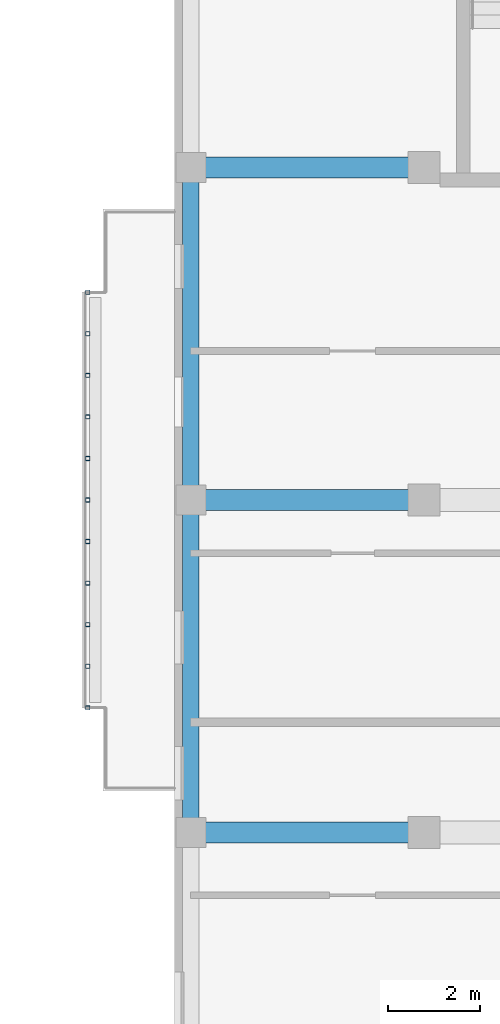
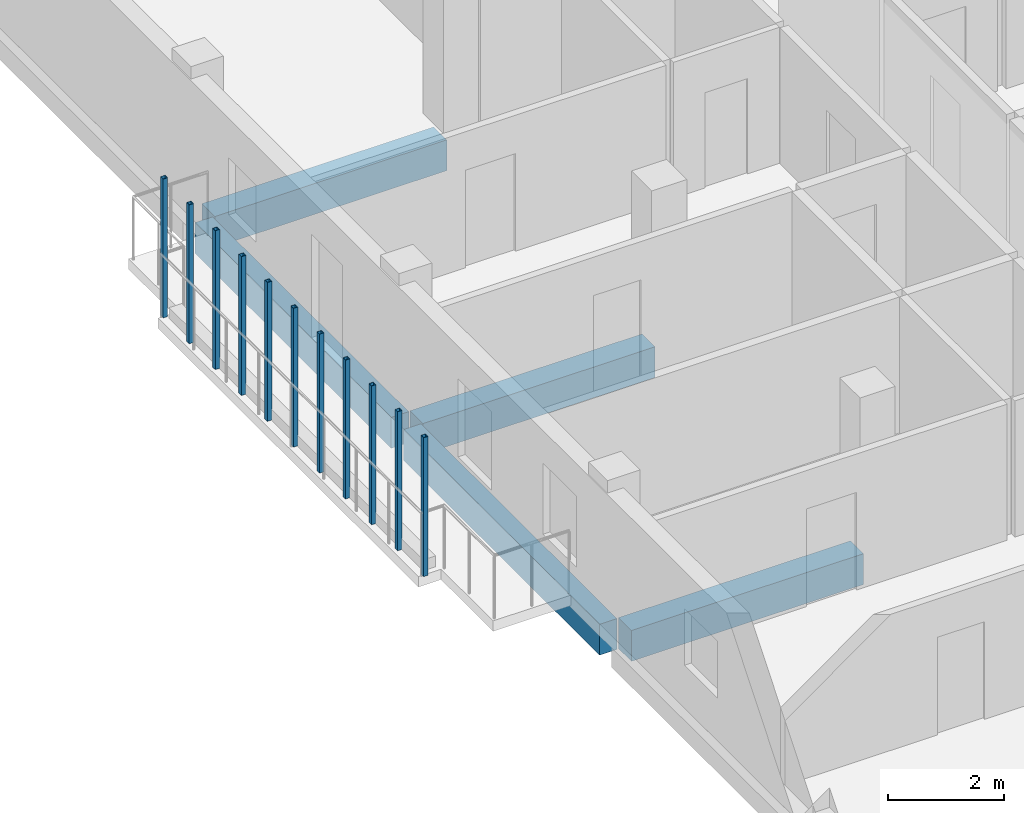
# One storey, part 20 of 56: 11 members, 5 beams.
"""IFC4 building model written with IfcOpenShell, lengths in metres."""

import ifcopenshell
import ifcopenshell.guid

model = None  # the IFC model being written
_history = None  # IfcOwnerHistory: only IFC2X3 demands one
_inside = {}  # id of a spatial element -> (the spatial element, [elements in it])
_under = {}  # id of a project, library or spatial element -> (it, [spatial elements below it])
_declared = {}  # id of a project -> (the project, [libraries it declares])
_typed = {}  # id of a type object -> (the type object, [elements of that type])
_made_of = {}  # id of a material, layer set ... -> (it, [elements and type objects made of it])


def new_model(schema):
    """Start an empty IFC model of exactly this schema.

    Asked for "IFC4X3", IfcOpenShell would pick the latest addendum, in which some entities
    have other attributes; the version numbers below select the first issue.
    IFC2X3 requires an IfcOwnerHistory on every rooted entity: one is made here for all.
    """
    global model, _history
    if schema == "IFC4X3":
        model = ifcopenshell.file(schema_version=(4, 3, 0, 0))
    else:
        model = ifcopenshell.file(schema=schema)
    _inside.clear()
    _under.clear()
    _declared.clear()
    _typed.clear()
    _made_of.clear()
    _history = None
    if model.schema == "IFC2X3":
        org = make("IfcOrganization", Name="unknown")
        user = make(
            "IfcPersonAndOrganization",
            ThePerson=make("IfcPerson", FamilyName="unknown"),
            TheOrganization=org,
        )
        app = make(
            "IfcApplication",
            ApplicationDeveloper=org,
            Version="unknown",
            ApplicationFullName="unknown",
            ApplicationIdentifier="unknown",
        )
        _history = make(
            "IfcOwnerHistory",
            OwningUser=user,
            OwningApplication=app,
            ChangeAction="ADDED",
            CreationDate=0,
        )
    return model


def make(cls, **values):
    """One entity of the class cls with the attributes given. An attribute that is None is left unset."""
    return model.create_entity(
        cls, **{name: value for name, value in values.items() if value is not None}
    )


def rooted(cls, **values):
    """An entity with a GlobalId (a new one), such as an element, a storey or a relation."""
    return make(cls, GlobalId=ifcopenshell.guid.new(), OwnerHistory=_history, **values)


def si_unit(unit_type, name, prefix=None):
    """IfcSIUnit, for example si_unit("LENGTHUNIT", "METRE", prefix="MILLI")."""
    return make("IfcSIUnit", UnitType=unit_type, Prefix=prefix, Name=name)


def derived_unit(unit_type, elements):
    """IfcDerivedUnit: a product of units, each with its exponent."""
    return make(
        "IfcDerivedUnit",
        Elements=[
            make("IfcDerivedUnitElement", Unit=unit, Exponent=power)
            for unit, power in elements
        ],
        UnitType=unit_type,
    )


def assignment(units):
    """IfcUnitAssignment: the units of a project."""
    return None if units is None else make("IfcUnitAssignment", Units=units)


def point(xyz):
    """IfcCartesianPoint."""
    return None if xyz is None else make("IfcCartesianPoint", Coordinates=xyz)


def direction(xyz):
    """IfcDirection."""
    return None if xyz is None else make("IfcDirection", DirectionRatios=xyz)


def frame(location, z_axis=None, x_axis=None):
    """IfcAxis2Placement3D, a coordinate frame: its origin and axes. An axis left out is left unset."""
    return make(
        "IfcAxis2Placement3D",
        Location=point(location),
        Axis=direction(z_axis),
        RefDirection=direction(x_axis),
    )


def frame_2d(location, x_axis=None):
    """IfcAxis2Placement2D, a coordinate frame in the plane: its origin and x axis."""
    return make(
        "IfcAxis2Placement2D", Location=point(location), RefDirection=direction(x_axis)
    )


def origin():
    """The frame at (0, 0, 0) with its axes left unset."""
    return frame((0.0, 0.0, 0.0))


def origin_2d():
    """The frame at (0, 0) in the plane with its x axis left unset."""
    return frame_2d((0.0, 0.0))


def place(relative_to, where):
    """IfcLocalPlacement: puts the frame where relative to a parent placement (None: the world)."""
    return make(
        "IfcLocalPlacement", PlacementRelTo=relative_to, RelativePlacement=where
    )


def context(
    kind, dimensions, precision=None, world=None, true_north=None, identifier=None
):
    """IfcGeometricRepresentationContext, for example the 3D "Model" context."""
    return make(
        "IfcGeometricRepresentationContext",
        ContextIdentifier=identifier,
        ContextType=kind,
        CoordinateSpaceDimension=dimensions,
        Precision=precision,
        WorldCoordinateSystem=world,
        TrueNorth=true_north,
    )


def subcontext(parent, identifier, kind, view, scale=None):
    """IfcGeometricRepresentationSubContext, for example "Body" below "Model"."""
    return make(
        "IfcGeometricRepresentationSubContext",
        ContextIdentifier=identifier,
        ContextType=kind,
        ParentContext=parent,
        TargetScale=scale,
        TargetView=view,
    )


def project(units=None, contexts=None):
    """IfcProject with its units and contexts."""
    return rooted(
        "IfcProject",
        Name="project",
        RepresentationContexts=contexts,
        UnitsInContext=assignment(units),
    )


def spatial(cls, under=None, at=None, **own):
    """A site, building, storey or space (cls), placed at a placement, below another one or the project."""
    s = rooted(cls, ObjectPlacement=at, **own)
    if under is not None:
        _under.setdefault(under.id(), (under, []))[1].append(s)
    return s


def profile(cls, at=None, kind="AREA", **sizes):
    """A parametric profile (cls). Its sizes go by their IFC names, for example OverallWidth=200.0."""
    return make(cls, ProfileType=kind, Position=at, **sizes)


def rectangle(**sizes):
    """IfcRectangleProfileDef."""
    return profile("IfcRectangleProfileDef", **sizes)


def hollow_rectangle(**sizes):
    """IfcRectangleHollowProfileDef."""
    return profile("IfcRectangleHollowProfileDef", **sizes)


def extrude(swept, where, along, depth):
    """IfcExtrudedAreaSolid: the profile swept, set in the frame where, extruded along a direction by depth."""
    return make(
        "IfcExtrudedAreaSolid",
        SweptArea=swept,
        Position=where,
        ExtrudedDirection=direction(along),
        Depth=depth,
    )


def shape(context_of_items, identifier, shape_type, items):
    """IfcShapeRepresentation: the items that make up one representation, for example the "Body"."""
    return make(
        "IfcShapeRepresentation",
        ContextOfItems=context_of_items,
        RepresentationIdentifier=identifier,
        RepresentationType=shape_type,
        Items=items,
    )


def material(Name=None, Category=None):
    """IfcMaterial."""
    return make("IfcMaterial", Name=Name, Category=Category)


def material_profile(
    of_material, cross_section, Name=None, Category=None, Priority=None
):
    """IfcMaterialProfile: a cross section and its material."""
    return make(
        "IfcMaterialProfile",
        Name=Name,
        Material=of_material,
        Profile=cross_section,
        Priority=Priority,
        Category=Category,
    )


def profile_set(profiles, Name=None, composite=None):
    """IfcMaterialProfileSet."""
    return make(
        "IfcMaterialProfileSet",
        Name=Name,
        MaterialProfiles=profiles,
        CompositeProfile=composite,
    )


def made_of(thing, what):
    """Note that an element or type object is made of a material, layer set ...; save() writes the relation."""
    if what is not None:
        _made_of.setdefault(what.id(), (what, []))[1].append(thing)
    return thing


def type_object(cls, material=None, **own):
    """A type object (cls), such as IfcWallType, which elements share."""
    return made_of(rooted(cls, **own), material)


def element(
    cls,
    number,
    at=None,
    inside=None,
    cuts=None,
    type_object=None,
    material=None,
    context=None,
    identifier="Body",
    shape_type=None,
    held_by="IfcProductDefinitionShape",
    body=None,
    shapes=None,
    **own,
):
    """One element of the class cls, such as IfcWall. Its Tag is "e" and its number.

    at: its placement. inside: the storey or other place that contains it. cuts: it is an
    opening in that element (IfcRelVoidsElement). A single representation is given by context,
    identifier, shape_type and body (its items); several are given by shapes. held_by: the class
    of the entity that holds the representations. save() writes the other relations.
    """
    e = rooted(cls, Tag="e%d" % number, ObjectPlacement=at, **own)
    if body is not None:
        shapes = [shape(context, identifier, shape_type, body)]
    if shapes is not None:
        e.Representation = make(held_by, Representations=shapes)
    if inside is not None:
        _inside.setdefault(inside.id(), (inside, []))[1].append(e)
    if cuts is not None:
        rooted(
            "IfcRelVoidsElement", RelatingBuildingElement=cuts, RelatedOpeningElement=e
        )
    if type_object is not None:
        _typed.setdefault(type_object.id(), (type_object, []))[1].append(e)
    return made_of(e, material)


def aggregate(whole, parts):
    """IfcRelAggregates: a whole, such as a stair, and the parts it consists of."""
    return rooted("IfcRelAggregates", RelatingObject=whole, RelatedObjects=parts)


def save(model, path):
    """Write the relations noted so far, then the file.

    IfcRelAggregates (storeys below a building ...), IfcRelContainedInSpatialStructure (elements
    in a storey), IfcRelDefinesByType, IfcRelAssociatesMaterial and IfcRelDeclares: one each for
    every whole, place, type object, material and project.
    """
    for whole, parts in _under.values():
        aggregate(whole, parts)
    for where, things in _inside.values():
        rooted(
            "IfcRelContainedInSpatialStructure",
            RelatedElements=things,
            RelatingStructure=where,
        )
    for kind, things in _typed.values():
        rooted("IfcRelDefinesByType", RelatedObjects=things, RelatingType=kind)
    for what, things in _made_of.values():
        rooted("IfcRelAssociatesMaterial", RelatedObjects=things, RelatingMaterial=what)
    for by, libraries in _declared.values():
        rooted("IfcRelDeclares", RelatingContext=by, RelatedDefinitions=libraries)
    model.write(path)


model = new_model("IFC4")

# Units and contexts
model_context = context("Model", 3, precision=1e-05, world=origin(), true_north=direction((0.0, 1.0)))
body_context = subcontext(model_context, "Body", "Model", "MODEL_VIEW")
ifc_project = project(units=[si_unit("LENGTHUNIT", "METRE"), si_unit("AREAUNIT", "SQUARE_METRE"), si_unit("VOLUMEUNIT", "CUBIC_METRE"), si_unit("PLANEANGLEUNIT", "RADIAN"), si_unit("MASSUNIT", "GRAM", prefix="KILO"), derived_unit("THERMALTRANSMITTANCEUNIT", [(si_unit("MASSUNIT", "GRAM", prefix="KILO"), 1), (si_unit("TIMEUNIT", "SECOND"), -3), (si_unit("THERMODYNAMICTEMPERATUREUNIT", "KELVIN"), -1)])], contexts=[model_context])

# Site, building, storey
site_placement = place(None, origin())
site = spatial("IfcSite", under=ifc_project, at=site_placement, CompositionType="ELEMENT")
building_placement = place(site_placement, origin())
building = spatial("IfcBuilding", under=site, at=building_placement, Name="Ochrekiln Boulevard Commons", CompositionType="ELEMENT")
storey_placement = place(building_placement, frame((0.0, 0.0, 12.074951171875)))
storey = spatial("IfcBuildingStorey", under=building, at=storey_placement, Name="L03", CompositionType="ELEMENT", Elevation=12.074951171875)

# Beams
ifc_material_1 = material(Name="Concrete C35/45", Category="concrete")
ifc_material_profile_1 = material_profile(ifc_material_1, rectangle(XDim=0.449951171875, YDim=0.64990234375, at=origin_2d()), Name="RC-BM-450x650")
ifc_profile_set_1 = profile_set([ifc_material_profile_1], Name="Concrete C35/45")
beam_type_1 = type_object("IfcBeamType", Name="BM-RC-450x650", PredefinedType="BEAM", material=ifc_profile_set_1)
for number, where, z_axis, x_axis, name in (
    (1, (151.760009765625, 97.199951171875, -0.5849609375), (1.0, 0.0, 0.0), (0.0, 1.0, 0.0), "Block B L03 Beam B-4565 X12"),
    (2, (151.760009765625, 104.39990234375, -0.5849609375), (1.0, 0.0, 0.0), (0.0, 1.0, 0.0), "Block B L03 Beam B-4565 X15"),
    (3, (151.760009765625, 111.60009765625, -0.5849609375), (1.0, 0.0, 0.0), (0.0, 1.0, 0.0), "Block B L03 Beam B-4565 X18"),
):
    element("IfcBeam", number, at=place(storey_placement, frame(where, z_axis=z_axis, x_axis=x_axis)), inside=storey, type_object=beam_type_1, Name=name, PredefinedType="BEAM", context=body_context, shape_type="SweptSolid", body=[
        extrude(rectangle(XDim=0.449951171875, YDim=0.64990234375, at=origin_2d()), origin(), (0.0, 0.0, 1.0), 4.6298828125),
    ])

# Members
ifc_material_2 = material(Name="Steel A500 Grade C", Category="steel")
ifc_material_profile_2 = material_profile(ifc_material_2, hollow_rectangle(XDim=0.090087890625, YDim=0.090087890625, WallThickness=0.00634765625, at=origin_2d()), Name="HSS90X90X6.4")
ifc_profile_set_2 = profile_set([ifc_material_profile_2], Name="Steel A500 Grade C")
member_type = type_object("IfcMemberType", Name="MEM-PST-HSS90", PredefinedType="POST", material=ifc_profile_set_2)
for number, where, z_axis, x_axis, name in (
    (4, (149.320068359375, 99.89990234375, 0.0), (0.0, 0.0, 1.0), (1.0, 0.0, 0.0), "Block B L03 Slim Vertical Balcony Post (210)"),
    (5, (149.320068359375, 100.800048828125, 0.0), (0.0, 0.0, 1.0), (1.0, 0.0, 0.0), "Block B L03 Slim Vertical Balcony Post (211)"),
    (6, (149.320068359375, 101.699951171875, 0.0), (0.0, 0.0, 1.0), (1.0, 0.0, 0.0), "Block B L03 Slim Vertical Balcony Post (212)"),
    (7, (149.320068359375, 102.60009765625, 0.0), (0.0, 0.0, 1.0), (1.0, 0.0, 0.0), "Block B L03 Slim Vertical Balcony Post (213)"),
    (8, (149.320068359375, 103.5, 0.0), (0.0, 0.0, 1.0), (1.0, 0.0, 0.0), "Block B L03 Slim Vertical Balcony Post (214)"),
    (9, (149.320068359375, 104.39990234375, 0.0), (0.0, 0.0, 1.0), (1.0, 0.0, 0.0), "Block B L03 Slim Vertical Balcony Post (215)"),
    (10, (149.320068359375, 105.300048828125, 0.0), (0.0, 0.0, 1.0), (1.0, 0.0, 0.0), "Block B L03 Slim Vertical Balcony Post (216)"),
    (11, (149.320068359375, 106.199951171875, 0.0), (0.0, 0.0, 1.0), (1.0, 0.0, 0.0), "Block B L03 Slim Vertical Balcony Post (217)"),
    (12, (149.320068359375, 107.10009765625, 0.0), (0.0, 0.0, 1.0), (1.0, 0.0, 0.0), "Block B L03 Slim Vertical Balcony Post (218)"),
    (13, (149.320068359375, 108.0, 0.0), (0.0, 0.0, 1.0), (1.0, 0.0, 0.0), "Block B L03 Slim Vertical Balcony Post (219)"),
    (14, (149.320068359375, 108.89990234375, 0.0), (0.0, 0.0, 1.0), (1.0, 0.0, 0.0), "Block B L03 Slim Vertical Balcony Post (220)"),
):
    element("IfcMember", number, at=place(storey_placement, frame(where, z_axis=z_axis, x_axis=x_axis)), inside=storey, type_object=member_type, Name=name, PredefinedType="POST", context=body_context, shape_type="SweptSolid", body=[
        extrude(hollow_rectangle(XDim=0.090087890625, YDim=0.090087890625, WallThickness=0.00634765625, at=origin_2d()), origin(), (0.0, 0.0, 1.0), 2.929931640625),
    ])

# Beams
ifc_material_3 = material(Name="Concrete C40/50", Category="concrete")
ifc_material_profile_3 = material_profile(ifc_material_3, rectangle(XDim=0.35009765625, YDim=0.64990234375, at=origin_2d()), Name="RC-SPN-350x650")
ifc_profile_set_3 = profile_set([ifc_material_profile_3], Name="Concrete C40/50")
beam_type_2 = type_object("IfcBeamType", Name="SPN-RC-350x650", PredefinedType="SPANDREL", material=ifc_profile_set_3)
beam_1_placement = place(storey_placement, frame((151.550048828125, 97.409912109375, -0.5849609375), z_axis=(0.0, 1.0, 0.0), x_axis=(-1.0, 0.0, 0.0)))
element("IfcBeam", 15, at=beam_1_placement, inside=storey, type_object=beam_type_2, Name="Block B L03 Beam SP-3565 Y27", PredefinedType="SPANDREL", context=body_context, shape_type="SweptSolid", body=[
    extrude(rectangle(XDim=0.35009765625, YDim=0.64990234375, at=origin_2d()), origin(), (0.0, 0.0, 1.0), 6.780029296875),
])
beam_2_placement = place(storey_placement, frame((151.550048828125, 104.610107421875, -0.5849609375), z_axis=(0.0, 1.0, 0.0), x_axis=(-1.0, 0.0, 0.0)))
element("IfcBeam", 16, at=beam_2_placement, inside=storey, type_object=beam_type_2, Name="Block B L03 Beam SP-3565 Y28", PredefinedType="SPANDREL", context=body_context, shape_type="SweptSolid", body=[
    extrude(rectangle(XDim=0.35009765625, YDim=0.64990234375, at=origin_2d()), origin(), (0.0, 0.0, 1.0), 6.77978515625),
])

save(model, "model.ifc")
